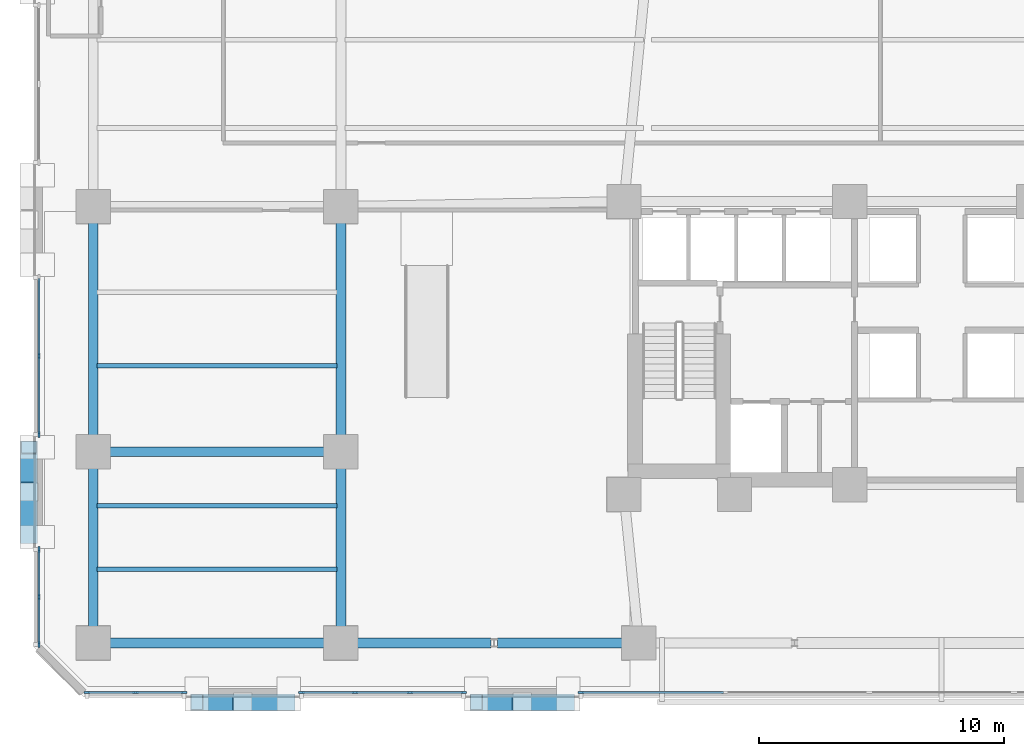
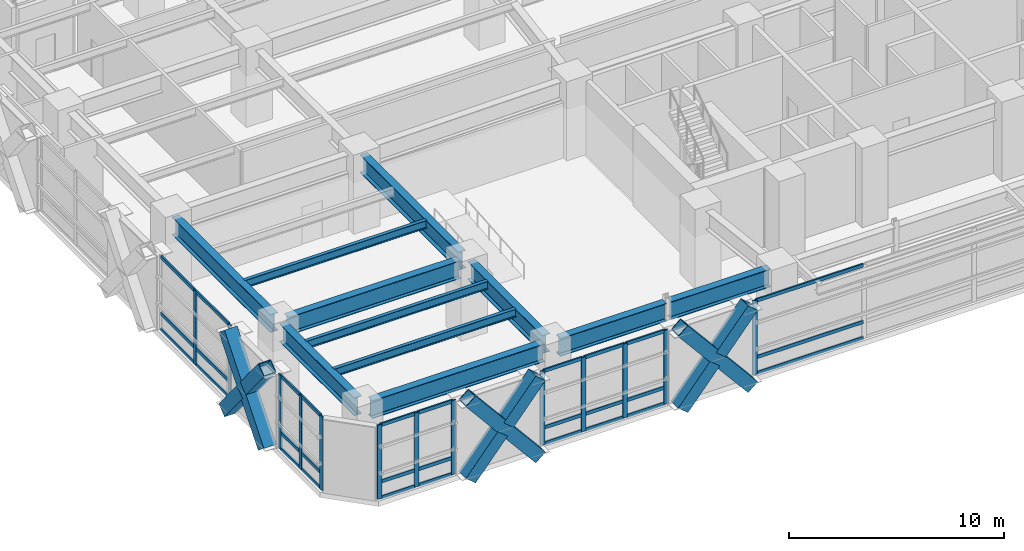
# One storey, part 6 of 30: 52 members, 11 beams, 5 elements without a shape of their own.
"""IFC4 building model written with IfcOpenShell, lengths in metres."""

from ifc_helpers import new_model, si_unit, direction, frame, origin, origin_2d, place, context, subcontext, project, spatial, rectangle, hollow_rectangle, i_section, extrude, material, material_profile, profile_set, type_object, element, aggregate, save


model = new_model("IFC4")

# Units and contexts
model_context = context("Model", 3, precision=1e-05, world=origin(), true_north=direction((0.0, 1.0)))
body_context = subcontext(model_context, "Body", "Model", "MODEL_VIEW")
ifc_project = project(units=[si_unit("LENGTHUNIT", "METRE"), si_unit("AREAUNIT", "SQUARE_METRE"), si_unit("VOLUMEUNIT", "CUBIC_METRE"), si_unit("PLANEANGLEUNIT", "RADIAN"), si_unit("MASSUNIT", "GRAM", prefix="KILO")], contexts=[model_context])

# Site, building, storey
site_placement = place(None, origin())
site = spatial("IfcSite", under=ifc_project, at=site_placement, CompositionType="ELEMENT")
building_placement = place(site_placement, origin())
building = spatial("IfcBuilding", under=site, at=building_placement, Name="Quenlor Broadcast Tower", CompositionType="ELEMENT")
storey_placement = place(building_placement, frame((0.0, 0.0, 9.5)))
storey = spatial("IfcBuildingStorey", under=building, at=storey_placement, Name="L02", CompositionType="ELEMENT", Elevation=9.5)

# Curtain wall, member
ifc_material_1 = material(Name="Architectural Terracotta and Low-E Glazing", Category="masonry")
curtain_wall_type = type_object("IfcCurtainWallType", Name="Station Concourse and Crown Terracotta Curtain Wall", PredefinedType="NOTDEFINED", material=ifc_material_1)
curtain_wall_1_placement = place(storey_placement, origin())
curtain_wall_1 = element("IfcCurtainWall", 1, at=curtain_wall_1_placement, inside=storey, type_object=curtain_wall_type, Name="L02 Curtain Wall CW6 (L02-S-FULL-G3)", PredefinedType="NOTDEFINED")
ifc_material_2 = material(Name="Aluminium 6063-T6", Category="aluminium")
ifc_material_profile_1 = material_profile(ifc_material_2, rectangle(XDim=0.08203125, YDim=0.239990234375, at=origin_2d()))
ifc_profile_set_1 = profile_set([ifc_material_profile_1], Name="Aluminium 6063-T6 MULL82x240")
member_type_1 = type_object("IfcMemberType", Name="CW6 Aluminium Mullion MULL_CW6", PredefinedType="MULLION", material=ifc_profile_set_1)
member_1_placement = place(storey_placement, frame((-14.70947265625, -24.820068359375, 0.0), z_axis=(0.0, 0.0, 1.0), x_axis=(0.0, -1.0, 0.0)))
member_1 = element("IfcMember", 2, at=member_1_placement, type_object=member_type_1, Name="CW6 mullion 6", PredefinedType="MULLION", context=body_context, shape_type="SweptSolid", body=[
    extrude(rectangle(XDim=0.08203125, YDim=0.239990234375, at=origin_2d()), origin(), (0.0, 0.0, 1.0), 4.199951171875),
])

# Curtain wall, members
curtain_wall_2_placement = place(storey_placement, origin())
curtain_wall_2 = element("IfcCurtainWall", 3, at=curtain_wall_2_placement, inside=storey, type_object=curtain_wall_type, Name="L02 Curtain Wall CW6 (L02-S-FULL-G4)", PredefinedType="NOTDEFINED")
member_2_placement = place(storey_placement, frame((-19.490478515625, -24.820068359375, 0.0), z_axis=(0.0, 0.0, 1.0), x_axis=(0.0, -1.0, 0.0)))
member_2 = element("IfcMember", 4, at=member_2_placement, type_object=member_type_1, Name="CW6 mullion 1", PredefinedType="MULLION", context=body_context, shape_type="SweptSolid", body=[
    extrude(rectangle(XDim=0.08203125, YDim=0.239990234375, at=origin_2d()), origin(), (0.0, 0.0, 1.0), 4.199951171875),
])
member_3_placement = place(storey_placement, frame((-21.68310546875, -24.820068359375, 0.0), z_axis=(0.0, 0.0, 1.0), x_axis=(0.0, -1.0, 0.0)))
member_3 = element("IfcMember", 5, at=member_3_placement, type_object=member_type_1, Name="CW6 mullion 2", PredefinedType="MULLION", context=body_context, shape_type="SweptSolid", body=[
    extrude(rectangle(XDim=0.08203125, YDim=0.239990234375, at=origin_2d()), origin(), (0.0, 0.0, 1.0), 4.199951171875),
])
member_4_placement = place(storey_placement, frame((-23.916748046875, -24.820068359375, 0.0), z_axis=(0.0, 0.0, 1.0), x_axis=(0.0, -1.0, 0.0)))
member_4 = element("IfcMember", 6, at=member_4_placement, type_object=member_type_1, Name="CW6 mullion 3", PredefinedType="MULLION", context=body_context, shape_type="SweptSolid", body=[
    extrude(rectangle(XDim=0.08203125, YDim=0.239990234375, at=origin_2d()), origin(), (0.0, 0.0, 1.0), 4.199951171875),
])
member_5_placement = place(storey_placement, frame((-26.109619140625, -24.820068359375, 0.0), z_axis=(0.0, 0.0, 1.0), x_axis=(0.0, -1.0, 0.0)))
member_5 = element("IfcMember", 7, at=member_5_placement, type_object=member_type_1, Name="CW6 mullion 4", PredefinedType="MULLION", context=body_context, shape_type="SweptSolid", body=[
    extrude(rectangle(XDim=0.08203125, YDim=0.239990234375, at=origin_2d()), origin(), (0.0, 0.0, 1.0), 4.199951171875),
])

curtain_wall_3_placement = place(storey_placement, origin())
curtain_wall_3 = element("IfcCurtainWall", 8, at=curtain_wall_3_placement, inside=storey, type_object=curtain_wall_type, Name="L02 Curtain Wall CW6 (L02-S-FULL-G5)", PredefinedType="NOTDEFINED")
member_6_placement = place(storey_placement, frame((-30.890380859375, -24.820068359375, 0.0), z_axis=(0.0, 0.0, 1.0), x_axis=(0.0, -1.0, 0.0)))
member_6 = element("IfcMember", 9, at=member_6_placement, type_object=member_type_1, Name="CW6 mullion 1", PredefinedType="MULLION", context=body_context, shape_type="SweptSolid", body=[
    extrude(rectangle(XDim=0.08203125, YDim=0.239990234375, at=origin_2d()), origin(), (0.0, 0.0, 1.0), 4.199951171875),
])
member_7_placement = place(storey_placement, frame((-32.874755859375, -24.820068359375, 0.0), z_axis=(0.0, 0.0, 1.0), x_axis=(0.0, -1.0, 0.0)))
member_7 = element("IfcMember", 10, at=member_7_placement, type_object=member_type_1, Name="CW6 mullion 2", PredefinedType="MULLION", context=body_context, shape_type="SweptSolid", body=[
    extrude(rectangle(XDim=0.08203125, YDim=0.239990234375, at=origin_2d()), origin(), (0.0, 0.0, 1.0), 4.199951171875),
])
member_8_placement = place(storey_placement, frame((-34.85888671875, -24.820068359375, 0.0), z_axis=(0.0, 0.0, 1.0), x_axis=(0.0, -1.0, 0.0)))
member_8 = element("IfcMember", 11, at=member_8_placement, type_object=member_type_1, Name="CW6 mullion 3", PredefinedType="MULLION", context=body_context, shape_type="SweptSolid", body=[
    extrude(rectangle(XDim=0.08203125, YDim=0.239990234375, at=origin_2d()), origin(), (0.0, 0.0, 1.0), 4.199951171875),
])

curtain_wall_4_placement = place(storey_placement, origin())
curtain_wall_4 = element("IfcCurtainWall", 12, at=curtain_wall_4_placement, inside=storey, type_object=curtain_wall_type, Name="L02 Curtain Wall CW6 (L02-W-FULL-G1)", PredefinedType="NOTDEFINED")
member_9_placement = place(storey_placement, frame((-36.820068359375, -22.85888671875, 0.0), z_axis=(0.0, 0.0, 1.0), x_axis=(-1.0, 0.0, 0.0)))
member_9 = element("IfcMember", 13, at=member_9_placement, type_object=member_type_1, Name="CW6 mullion 1", PredefinedType="MULLION", context=body_context, shape_type="SweptSolid", body=[
    extrude(rectangle(XDim=0.08203125, YDim=0.239990234375, at=origin_2d()), origin(), (0.0, 0.0, 1.0), 4.199951171875),
])
member_10_placement = place(storey_placement, frame((-36.820068359375, -20.92626953125, 0.0), z_axis=(0.0, 0.0, 1.0), x_axis=(-1.0, 0.0, 0.0)))
member_10 = element("IfcMember", 14, at=member_10_placement, type_object=member_type_1, Name="CW6 mullion 2", PredefinedType="MULLION", context=body_context, shape_type="SweptSolid", body=[
    extrude(rectangle(XDim=0.08203125, YDim=0.239990234375, at=origin_2d()), origin(), (0.0, 0.0, 1.0), 4.199951171875),
])
member_11_placement = place(storey_placement, frame((-36.820068359375, -18.99365234375, 0.0), z_axis=(0.0, 0.0, 1.0), x_axis=(-1.0, 0.0, 0.0)))
member_11 = element("IfcMember", 15, at=member_11_placement, type_object=member_type_1, Name="CW6 mullion 3", PredefinedType="MULLION", context=body_context, shape_type="SweptSolid", body=[
    extrude(rectangle(XDim=0.08203125, YDim=0.239990234375, at=origin_2d()), origin(), (0.0, 0.0, 1.0), 4.199951171875),
])

curtain_wall_5_placement = place(storey_placement, origin())
curtain_wall_5 = element("IfcCurtainWall", 16, at=curtain_wall_5_placement, inside=storey, type_object=curtain_wall_type, Name="L02 Curtain Wall CW6 (L02-W-FULL-G2)", PredefinedType="NOTDEFINED")
member_12_placement = place(storey_placement, frame((-36.820068359375, -14.306396484375, 0.0), z_axis=(0.0, 0.0, 1.0), x_axis=(-1.0, 0.0, 0.0)))
member_12 = element("IfcMember", 17, at=member_12_placement, type_object=member_type_1, Name="CW6 mullion 1", PredefinedType="MULLION", context=body_context, shape_type="SweptSolid", body=[
    extrude(rectangle(XDim=0.08203125, YDim=0.239990234375, at=origin_2d()), origin(), (0.0, 0.0, 1.0), 4.199951171875),
])
member_13_placement = place(storey_placement, frame((-36.820068359375, -11.10009765625, 0.0), z_axis=(0.0, 0.0, 1.0), x_axis=(-1.0, 0.0, 0.0)))
member_13 = element("IfcMember", 18, at=member_13_placement, type_object=member_type_1, Name="CW6 mullion 2", PredefinedType="MULLION", context=body_context, shape_type="SweptSolid", body=[
    extrude(rectangle(XDim=0.08203125, YDim=0.239990234375, at=origin_2d()), origin(), (0.0, 0.0, 1.0), 4.199951171875),
])

# Member
ifc_material_3 = material(Name="Aluminium 6063-T6", Category="aluminium")
ifc_material_profile_2 = material_profile(ifc_material_3, rectangle(XDim=0.08203125, YDim=0.195068359375, at=origin_2d()))
ifc_profile_set_2 = profile_set([ifc_material_profile_2], Name="Aluminium 6063-T6 TRAN82x195")
member_type_2 = type_object("IfcMemberType", Name="CW6 Aluminium Transom TRAN_CW6", PredefinedType="USERDEFINED", material=ifc_profile_set_2)
member_14_placement = place(storey_placement, frame((-8.891357421875, -24.820068359375, 0.041015625), z_axis=(-1.0, 0.0, 0.0), x_axis=(0.0, -1.0, 0.0)))
member_14 = element("IfcMember", 19, at=member_14_placement, type_object=member_type_2, Name="CW6 transom 5.1", ObjectType="TRANSOM", PredefinedType="USERDEFINED", context=body_context, shape_type="SweptSolid", body=[
    extrude(rectangle(XDim=0.08203125, YDim=0.195068359375, at=origin_2d()), origin(), (0.0, 0.0, 1.0), 5.777099609375),
])

member_15_placement = place(storey_placement, frame((-8.891357421875, -24.820068359375, 0.949951171875), z_axis=(-1.0, 0.0, 0.0), x_axis=(0.0, -1.0, 0.0)))
member_15 = element("IfcMember", 20, at=member_15_placement, type_object=member_type_2, Name="CW6 transom 5.2", ObjectType="TRANSOM", PredefinedType="USERDEFINED", context=body_context, shape_type="SweptSolid", body=[
    extrude(rectangle(XDim=0.08203125, YDim=0.195068359375, at=origin_2d()), origin(), (0.0, 0.0, 1.0), 5.777099609375),
])

member_16_placement = place(storey_placement, frame((-8.891357421875, -24.820068359375, 4.158935546875), z_axis=(-1.0, 0.0, 0.0), x_axis=(0.0, -1.0, 0.0)))
member_16 = element("IfcMember", 21, at=member_16_placement, type_object=member_type_2, Name="CW6 transom 5.3", ObjectType="TRANSOM", PredefinedType="USERDEFINED", context=body_context, shape_type="SweptSolid", body=[
    extrude(rectangle(XDim=0.08203125, YDim=0.195068359375, at=origin_2d()), origin(), (0.0, 0.0, 1.0), 5.777099609375),
])

aggregate(curtain_wall_1, [member_1, member_14, member_15, member_16])

member_17_placement = place(storey_placement, frame((-19.531494140625, -24.820068359375, 0.041015625), z_axis=(-1.0, 0.0, 0.0), x_axis=(0.0, -1.0, 0.0)))
member_17 = element("IfcMember", 22, at=member_17_placement, type_object=member_type_2, Name="CW6 transom 1.1", ObjectType="TRANSOM", PredefinedType="USERDEFINED", context=body_context, shape_type="SweptSolid", body=[
    extrude(rectangle(XDim=0.08203125, YDim=0.195068359375, at=origin_2d()), origin(), (0.0, 0.0, 1.0), 2.110595703125),
])

member_18_placement = place(storey_placement, frame((-19.531494140625, -24.820068359375, 0.949951171875), z_axis=(-1.0, 0.0, 0.0), x_axis=(0.0, -1.0, 0.0)))
member_18 = element("IfcMember", 23, at=member_18_placement, type_object=member_type_2, Name="CW6 transom 1.2", ObjectType="TRANSOM", PredefinedType="USERDEFINED", context=body_context, shape_type="SweptSolid", body=[
    extrude(rectangle(XDim=0.08203125, YDim=0.195068359375, at=origin_2d()), origin(), (0.0, 0.0, 1.0), 2.110595703125),
])

member_19_placement = place(storey_placement, frame((-19.531494140625, -24.820068359375, 4.158935546875), z_axis=(-1.0, 0.0, 0.0), x_axis=(0.0, -1.0, 0.0)))
member_19 = element("IfcMember", 24, at=member_19_placement, type_object=member_type_2, Name="CW6 transom 1.3", ObjectType="TRANSOM", PredefinedType="USERDEFINED", context=body_context, shape_type="SweptSolid", body=[
    extrude(rectangle(XDim=0.08203125, YDim=0.195068359375, at=origin_2d()), origin(), (0.0, 0.0, 1.0), 2.110595703125),
])

member_20_placement = place(storey_placement, frame((-21.72412109375, -24.820068359375, 0.041015625), z_axis=(-1.0, 0.0, 0.0), x_axis=(0.0, -1.0, 0.0)))
member_20 = element("IfcMember", 25, at=member_20_placement, type_object=member_type_2, Name="CW6 transom 2.1", ObjectType="TRANSOM", PredefinedType="USERDEFINED", context=body_context, shape_type="SweptSolid", body=[
    extrude(rectangle(XDim=0.08203125, YDim=0.195068359375, at=origin_2d()), origin(), (0.0, 0.0, 1.0), 2.151611328125),
])

member_21_placement = place(storey_placement, frame((-21.72412109375, -24.820068359375, 0.949951171875), z_axis=(-1.0, 0.0, 0.0), x_axis=(0.0, -1.0, 0.0)))
member_21 = element("IfcMember", 26, at=member_21_placement, type_object=member_type_2, Name="CW6 transom 2.2", ObjectType="TRANSOM", PredefinedType="USERDEFINED", context=body_context, shape_type="SweptSolid", body=[
    extrude(rectangle(XDim=0.08203125, YDim=0.195068359375, at=origin_2d()), origin(), (0.0, 0.0, 1.0), 2.151611328125),
])

member_22_placement = place(storey_placement, frame((-21.72412109375, -24.820068359375, 4.158935546875), z_axis=(-1.0, 0.0, 0.0), x_axis=(0.0, -1.0, 0.0)))
member_22 = element("IfcMember", 27, at=member_22_placement, type_object=member_type_2, Name="CW6 transom 2.3", ObjectType="TRANSOM", PredefinedType="USERDEFINED", context=body_context, shape_type="SweptSolid", body=[
    extrude(rectangle(XDim=0.08203125, YDim=0.195068359375, at=origin_2d()), origin(), (0.0, 0.0, 1.0), 2.151611328125),
])

member_23_placement = place(storey_placement, frame((-23.957763671875, -24.820068359375, 0.041015625), z_axis=(-1.0, 0.0, 0.0), x_axis=(0.0, -1.0, 0.0)))
member_23 = element("IfcMember", 28, at=member_23_placement, type_object=member_type_2, Name="CW6 transom 3.1", ObjectType="TRANSOM", PredefinedType="USERDEFINED", context=body_context, shape_type="SweptSolid", body=[
    extrude(rectangle(XDim=0.08203125, YDim=0.195068359375, at=origin_2d()), origin(), (0.0, 0.0, 1.0), 2.11083984375),
])

member_24_placement = place(storey_placement, frame((-23.957763671875, -24.820068359375, 0.949951171875), z_axis=(-1.0, 0.0, 0.0), x_axis=(0.0, -1.0, 0.0)))
member_24 = element("IfcMember", 29, at=member_24_placement, type_object=member_type_2, Name="CW6 transom 3.2", ObjectType="TRANSOM", PredefinedType="USERDEFINED", context=body_context, shape_type="SweptSolid", body=[
    extrude(rectangle(XDim=0.08203125, YDim=0.195068359375, at=origin_2d()), origin(), (0.0, 0.0, 1.0), 2.11083984375),
])

member_25_placement = place(storey_placement, frame((-23.957763671875, -24.820068359375, 4.158935546875), z_axis=(-1.0, 0.0, 0.0), x_axis=(0.0, -1.0, 0.0)))
member_25 = element("IfcMember", 30, at=member_25_placement, type_object=member_type_2, Name="CW6 transom 3.3", ObjectType="TRANSOM", PredefinedType="USERDEFINED", context=body_context, shape_type="SweptSolid", body=[
    extrude(rectangle(XDim=0.08203125, YDim=0.195068359375, at=origin_2d()), origin(), (0.0, 0.0, 1.0), 2.11083984375),
])

aggregate(curtain_wall_2, [member_2, member_3, member_4, member_5, member_17, member_18, member_19, member_20, member_21, member_22, member_23, member_24, member_25])

member_26_placement = place(storey_placement, frame((-30.931396484375, -24.820068359375, 0.041015625), z_axis=(-1.0, 0.0, 0.0), x_axis=(0.0, -1.0, 0.0)))
member_26 = element("IfcMember", 31, at=member_26_placement, type_object=member_type_2, Name="CW6 transom 1.1", ObjectType="TRANSOM", PredefinedType="USERDEFINED", context=body_context, shape_type="SweptSolid", body=[
    extrude(rectangle(XDim=0.08203125, YDim=0.195068359375, at=origin_2d()), origin(), (0.0, 0.0, 1.0), 1.90234375),
])

member_27_placement = place(storey_placement, frame((-30.931396484375, -24.820068359375, 0.949951171875), z_axis=(-1.0, 0.0, 0.0), x_axis=(0.0, -1.0, 0.0)))
member_27 = element("IfcMember", 32, at=member_27_placement, type_object=member_type_2, Name="CW6 transom 1.2", ObjectType="TRANSOM", PredefinedType="USERDEFINED", context=body_context, shape_type="SweptSolid", body=[
    extrude(rectangle(XDim=0.08203125, YDim=0.195068359375, at=origin_2d()), origin(), (0.0, 0.0, 1.0), 1.90234375),
])

member_28_placement = place(storey_placement, frame((-30.931396484375, -24.820068359375, 4.158935546875), z_axis=(-1.0, 0.0, 0.0), x_axis=(0.0, -1.0, 0.0)))
member_28 = element("IfcMember", 33, at=member_28_placement, type_object=member_type_2, Name="CW6 transom 1.3", ObjectType="TRANSOM", PredefinedType="USERDEFINED", context=body_context, shape_type="SweptSolid", body=[
    extrude(rectangle(XDim=0.08203125, YDim=0.195068359375, at=origin_2d()), origin(), (0.0, 0.0, 1.0), 1.90234375),
])

member_29_placement = place(storey_placement, frame((-32.915771484375, -24.820068359375, 0.041015625), z_axis=(-1.0, 0.0, 0.0), x_axis=(0.0, -1.0, 0.0)))
member_29 = element("IfcMember", 34, at=member_29_placement, type_object=member_type_2, Name="CW6 transom 2.1", ObjectType="TRANSOM", PredefinedType="USERDEFINED", context=body_context, shape_type="SweptSolid", body=[
    extrude(rectangle(XDim=0.08203125, YDim=0.195068359375, at=origin_2d()), origin(), (0.0, 0.0, 1.0), 1.90234375),
])

member_30_placement = place(storey_placement, frame((-32.915771484375, -24.820068359375, 0.949951171875), z_axis=(-1.0, 0.0, 0.0), x_axis=(0.0, -1.0, 0.0)))
member_30 = element("IfcMember", 35, at=member_30_placement, type_object=member_type_2, Name="CW6 transom 2.2", ObjectType="TRANSOM", PredefinedType="USERDEFINED", context=body_context, shape_type="SweptSolid", body=[
    extrude(rectangle(XDim=0.08203125, YDim=0.195068359375, at=origin_2d()), origin(), (0.0, 0.0, 1.0), 1.90234375),
])

member_31_placement = place(storey_placement, frame((-32.915771484375, -24.820068359375, 4.158935546875), z_axis=(-1.0, 0.0, 0.0), x_axis=(0.0, -1.0, 0.0)))
member_31 = element("IfcMember", 36, at=member_31_placement, type_object=member_type_2, Name="CW6 transom 2.3", ObjectType="TRANSOM", PredefinedType="USERDEFINED", context=body_context, shape_type="SweptSolid", body=[
    extrude(rectangle(XDim=0.08203125, YDim=0.195068359375, at=origin_2d()), origin(), (0.0, 0.0, 1.0), 1.90234375),
])

aggregate(curtain_wall_3, [member_6, member_7, member_8, member_26, member_27, member_28, member_29, member_30, member_31])

member_32_placement = place(storey_placement, frame((-36.820068359375, -22.818115234375, 0.041015625), z_axis=(0.0, 1.0, 0.0), x_axis=(-1.0, 0.0, 0.0)))
member_32 = element("IfcMember", 37, at=member_32_placement, type_object=member_type_2, Name="CW6 transom 1.1", ObjectType="TRANSOM", PredefinedType="USERDEFINED", context=body_context, shape_type="SweptSolid", body=[
    extrude(rectangle(XDim=0.08203125, YDim=0.195068359375, at=origin_2d()), origin(), (0.0, 0.0, 1.0), 1.850830078125),
])

member_33_placement = place(storey_placement, frame((-36.820068359375, -22.818115234375, 0.949951171875), z_axis=(0.0, 1.0, 0.0), x_axis=(-1.0, 0.0, 0.0)))
member_33 = element("IfcMember", 38, at=member_33_placement, type_object=member_type_2, Name="CW6 transom 1.2", ObjectType="TRANSOM", PredefinedType="USERDEFINED", context=body_context, shape_type="SweptSolid", body=[
    extrude(rectangle(XDim=0.08203125, YDim=0.195068359375, at=origin_2d()), origin(), (0.0, 0.0, 1.0), 1.850830078125),
])

member_34_placement = place(storey_placement, frame((-36.820068359375, -22.818115234375, 4.158935546875), z_axis=(0.0, 1.0, 0.0), x_axis=(-1.0, 0.0, 0.0)))
member_34 = element("IfcMember", 39, at=member_34_placement, type_object=member_type_2, Name="CW6 transom 1.3", ObjectType="TRANSOM", PredefinedType="USERDEFINED", context=body_context, shape_type="SweptSolid", body=[
    extrude(rectangle(XDim=0.08203125, YDim=0.195068359375, at=origin_2d()), origin(), (0.0, 0.0, 1.0), 1.850830078125),
])

member_35_placement = place(storey_placement, frame((-36.820068359375, -20.88525390625, 0.041015625), z_axis=(0.0, 1.0, 0.0), x_axis=(-1.0, 0.0, 0.0)))
member_35 = element("IfcMember", 40, at=member_35_placement, type_object=member_type_2, Name="CW6 transom 2.1", ObjectType="TRANSOM", PredefinedType="USERDEFINED", context=body_context, shape_type="SweptSolid", body=[
    extrude(rectangle(XDim=0.08203125, YDim=0.195068359375, at=origin_2d()), origin(), (0.0, 0.0, 1.0), 1.8505859375),
])

member_36_placement = place(storey_placement, frame((-36.820068359375, -20.88525390625, 0.949951171875), z_axis=(0.0, 1.0, 0.0), x_axis=(-1.0, 0.0, 0.0)))
member_36 = element("IfcMember", 41, at=member_36_placement, type_object=member_type_2, Name="CW6 transom 2.2", ObjectType="TRANSOM", PredefinedType="USERDEFINED", context=body_context, shape_type="SweptSolid", body=[
    extrude(rectangle(XDim=0.08203125, YDim=0.195068359375, at=origin_2d()), origin(), (0.0, 0.0, 1.0), 1.8505859375),
])

member_37_placement = place(storey_placement, frame((-36.820068359375, -20.88525390625, 4.158935546875), z_axis=(0.0, 1.0, 0.0), x_axis=(-1.0, 0.0, 0.0)))
member_37 = element("IfcMember", 42, at=member_37_placement, type_object=member_type_2, Name="CW6 transom 2.3", ObjectType="TRANSOM", PredefinedType="USERDEFINED", context=body_context, shape_type="SweptSolid", body=[
    extrude(rectangle(XDim=0.08203125, YDim=0.195068359375, at=origin_2d()), origin(), (0.0, 0.0, 1.0), 1.8505859375),
])

aggregate(curtain_wall_4, [member_9, member_10, member_11, member_32, member_33, member_34, member_35, member_36, member_37])

member_38_placement = place(storey_placement, frame((-36.820068359375, -14.265380859375, 0.041015625), z_axis=(0.0, 1.0, 0.0), x_axis=(-1.0, 0.0, 0.0)))
member_38 = element("IfcMember", 43, at=member_38_placement, type_object=member_type_2, Name="CW6 transom 1.1", ObjectType="TRANSOM", PredefinedType="USERDEFINED", context=body_context, shape_type="SweptSolid", body=[
    extrude(rectangle(XDim=0.08203125, YDim=0.195068359375, at=origin_2d()), origin(), (0.0, 0.0, 1.0), 3.124267578125),
])

member_39_placement = place(storey_placement, frame((-36.820068359375, -14.265380859375, 0.949951171875), z_axis=(0.0, 1.0, 0.0), x_axis=(-1.0, 0.0, 0.0)))
member_39 = element("IfcMember", 44, at=member_39_placement, type_object=member_type_2, Name="CW6 transom 1.2", ObjectType="TRANSOM", PredefinedType="USERDEFINED", context=body_context, shape_type="SweptSolid", body=[
    extrude(rectangle(XDim=0.08203125, YDim=0.195068359375, at=origin_2d()), origin(), (0.0, 0.0, 1.0), 3.124267578125),
])

member_40_placement = place(storey_placement, frame((-36.820068359375, -14.265380859375, 4.158935546875), z_axis=(0.0, 1.0, 0.0), x_axis=(-1.0, 0.0, 0.0)))
member_40 = element("IfcMember", 45, at=member_40_placement, type_object=member_type_2, Name="CW6 transom 1.3", ObjectType="TRANSOM", PredefinedType="USERDEFINED", context=body_context, shape_type="SweptSolid", body=[
    extrude(rectangle(XDim=0.08203125, YDim=0.195068359375, at=origin_2d()), origin(), (0.0, 0.0, 1.0), 3.124267578125),
])

member_41_placement = place(storey_placement, frame((-36.820068359375, -11.05908203125, 0.041015625), z_axis=(0.0, 1.0, 0.0), x_axis=(-1.0, 0.0, 0.0)))
member_41 = element("IfcMember", 46, at=member_41_placement, type_object=member_type_2, Name="CW6 transom 2.1", ObjectType="TRANSOM", PredefinedType="USERDEFINED", context=body_context, shape_type="SweptSolid", body=[
    extrude(rectangle(XDim=0.08203125, YDim=0.195068359375, at=origin_2d()), origin(), (0.0, 0.0, 1.0), 3.124267578125),
])

member_42_placement = place(storey_placement, frame((-36.820068359375, -11.05908203125, 0.949951171875), z_axis=(0.0, 1.0, 0.0), x_axis=(-1.0, 0.0, 0.0)))
member_42 = element("IfcMember", 47, at=member_42_placement, type_object=member_type_2, Name="CW6 transom 2.2", ObjectType="TRANSOM", PredefinedType="USERDEFINED", context=body_context, shape_type="SweptSolid", body=[
    extrude(rectangle(XDim=0.08203125, YDim=0.195068359375, at=origin_2d()), origin(), (0.0, 0.0, 1.0), 3.124267578125),
])

member_43_placement = place(storey_placement, frame((-36.820068359375, -11.05908203125, 4.158935546875), z_axis=(0.0, 1.0, 0.0), x_axis=(-1.0, 0.0, 0.0)))
member_43 = element("IfcMember", 48, at=member_43_placement, type_object=member_type_2, Name="CW6 transom 2.3", ObjectType="TRANSOM", PredefinedType="USERDEFINED", context=body_context, shape_type="SweptSolid", body=[
    extrude(rectangle(XDim=0.08203125, YDim=0.195068359375, at=origin_2d()), origin(), (0.0, 0.0, 1.0), 3.124267578125),
])

aggregate(curtain_wall_5, [member_12, member_13, member_38, member_39, member_40, member_41, member_42, member_43])

# Members
ifc_material_4 = material(Name="Steel S355", Category="steel")
ifc_material_profile_3 = material_profile(ifc_material_4, hollow_rectangle(XDim=0.679931640625, YDim=0.679931640625, WallThickness=0.034912109375, at=origin_2d()))
ifc_profile_set_3 = profile_set([ifc_material_profile_3], Name="Steel S355 RHS680x680x35")
member_type_3 = type_object("IfcMemberType", Name="Perimeter Diagonal Lattice Brace Z1 Steel S355 RHS680x35", PredefinedType="BRACE", material=ifc_profile_set_3)
member_44_placement = place(storey_placement, frame((-15.222900390625, -25.215087890625, -0.1201171875), z_axis=(-0.640626831312, 0.0, 0.767852370578), x_axis=(0.0, -1.0, 0.0)))
element("IfcMember", 49, at=member_44_placement, inside=storey, type_object=member_type_3, Name="L02 Podium Diamond Lattice S-P5XA", PredefinedType="BRACE", context=body_context, shape_type="SweptSolid", body=[
    extrude(hollow_rectangle(XDim=0.679931640625, YDim=0.679931640625, WallThickness=0.034912109375, at=origin_2d()), origin(), (0.0, 0.0, 1.0), 5.860595703125),
])
member_45_placement = place(storey_placement, frame((-18.977294921875, -25.215087890625, -0.1201171875), z_axis=(0.640614349103, 0.0, 0.767862784437), x_axis=(0.0, 1.0, 0.0)))
element("IfcMember", 50, at=member_45_placement, inside=storey, type_object=member_type_3, Name="L02 Podium Diamond Lattice S-P5XB1", PredefinedType="BRACE", context=body_context, shape_type="SweptSolid", body=[
    extrude(hollow_rectangle(XDim=0.679931640625, YDim=0.679931640625, WallThickness=0.034912109375, at=origin_2d()), origin(), (0.0, 0.0, 1.0), 2.680419921875),
])
member_46_placement = place(storey_placement, frame((-16.939697265625, -25.215087890625, 2.322021484375), z_axis=(0.640605447875, 0.0, 0.767870210486), x_axis=(0.0, 1.0, 0.0)))
element("IfcMember", 51, at=member_46_placement, inside=storey, type_object=member_type_3, Name="L02 Podium Diamond Lattice S-P5XB2", PredefinedType="BRACE", context=body_context, shape_type="SweptSolid", body=[
    extrude(hollow_rectangle(XDim=0.679931640625, YDim=0.679931640625, WallThickness=0.034912109375, at=origin_2d()), origin(), (0.0, 0.0, 1.0), 2.679931640625),
])
member_47_placement = place(storey_placement, frame((-26.622802734375, -25.215087890625, -0.1201171875), z_axis=(-0.640626831312, 0.0, 0.767852370578), x_axis=(0.0, -1.0, 0.0)))
element("IfcMember", 52, at=member_47_placement, inside=storey, type_object=member_type_3, Name="L02 Podium Diamond Lattice S-P6XA", PredefinedType="BRACE", context=body_context, shape_type="SweptSolid", body=[
    extrude(hollow_rectangle(XDim=0.679931640625, YDim=0.679931640625, WallThickness=0.034912109375, at=origin_2d()), origin(), (0.0, 0.0, 1.0), 5.860595703125),
])
member_48_placement = place(storey_placement, frame((-30.377197265625, -25.215087890625, -0.1201171875), z_axis=(0.640614349103, 0.0, 0.767862784437), x_axis=(0.0, 1.0, 0.0)))
element("IfcMember", 53, at=member_48_placement, inside=storey, type_object=member_type_3, Name="L02 Podium Diamond Lattice S-P6XB1", PredefinedType="BRACE", context=body_context, shape_type="SweptSolid", body=[
    extrude(hollow_rectangle(XDim=0.679931640625, YDim=0.679931640625, WallThickness=0.034912109375, at=origin_2d()), origin(), (0.0, 0.0, 1.0), 2.680419921875),
])
member_49_placement = place(storey_placement, frame((-28.33984375, -25.215087890625, 2.322021484375), z_axis=(0.640659157162, 0.0, 0.767825399648), x_axis=(0.0, 1.0, 0.0)))
element("IfcMember", 54, at=member_49_placement, inside=storey, type_object=member_type_3, Name="L02 Podium Diamond Lattice S-P6XB2", PredefinedType="BRACE", context=body_context, shape_type="SweptSolid", body=[
    extrude(hollow_rectangle(XDim=0.679931640625, YDim=0.679931640625, WallThickness=0.034912109375, at=origin_2d()), origin(), (0.0, 0.0, 1.0), 2.68017578125),
])
member_50_placement = place(storey_placement, frame((-37.215087890625, -18.477783203125, -0.1201171875), z_axis=(0.0, 0.630516526394, 0.776175824117), x_axis=(-1.0, 0.0, 0.0)))
element("IfcMember", 55, at=member_50_placement, inside=storey, type_object=member_type_3, Name="L02 Podium Diamond Lattice W-P1XA", PredefinedType="BRACE", context=body_context, shape_type="SweptSolid", body=[
    extrude(hollow_rectangle(XDim=0.679931640625, YDim=0.679931640625, WallThickness=0.034912109375, at=origin_2d()), origin(), (0.0, 0.0, 1.0), 5.797607421875),
])
for number, where, z_axis, x_axis, name in (
    (56, (-37.215087890625, -14.822265625, -0.1201171875), (0.0, -0.630488529208, 0.776198566436), (1.0, 0.0, 0.0), "L02 Podium Diamond Lattice W-P1XB1"),
    (57, (-37.215087890625, -16.8076171875, 2.323974609375), (0.0, -0.630533634598, 0.776161926173), (1.0, 0.0, 0.0), "L02 Podium Diamond Lattice W-P1XB2"),
):
    element("IfcMember", number, at=place(storey_placement, frame(where, z_axis=z_axis, x_axis=x_axis)), inside=storey, type_object=member_type_3, Name=name, PredefinedType="BRACE", context=body_context, shape_type="SweptSolid", body=[
        extrude(hollow_rectangle(XDim=0.679931640625, YDim=0.679931640625, WallThickness=0.034912109375, at=origin_2d()), origin(), (0.0, 0.0, 1.0), 2.64892578125),
    ])

# Beams
ifc_material_5 = material(Name="Steel S355", Category="steel")
ifc_material_profile_4 = material_profile(ifc_material_5, i_section(OverallWidth=0.39990234375, OverallDepth=1.02392578125, WebThickness=0.01611328125, FlangeThickness=0.031982421875, FilletRadius=0.01611328125, at=origin_2d()))
ifc_profile_set_4 = profile_set([ifc_material_profile_4], Name="Steel S355 1000WB322")
beam_type_1 = type_object("IfcBeamType", Name="Podium Concourse Girder Steel S355 1000WB322", PredefinedType="BEAM", material=ifc_profile_set_4)
beam_1_placement = place(storey_placement, frame((-34.179931640625, -22.800048828125, 3.68798828125), z_axis=(1.0, 0.0, 0.0), x_axis=(0.0, 1.0, 0.0)))
element("IfcBeam", 58, at=beam_1_placement, inside=storey, type_object=beam_type_1, Name="L02 Podium Girder 1", PredefinedType="BEAM", context=body_context, shape_type="SweptSolid", body=[
    extrude(i_section(OverallWidth=0.39990234375, OverallDepth=1.02392578125, WebThickness=0.01611328125, FlangeThickness=0.031982421875, FilletRadius=0.01611328125, at=origin_2d()), origin(), (0.0, 0.0, 1.0), 9.260009765625),
])
beam_2_placement = place(storey_placement, frame((-24.080078125, -22.800048828125, 3.68798828125), z_axis=(1.0, 0.0, 0.0), x_axis=(0.0, 1.0, 0.0)))
element("IfcBeam", 59, at=beam_2_placement, inside=storey, type_object=beam_type_1, Name="L02 Podium Girder 2", PredefinedType="BEAM", context=body_context, shape_type="SweptSolid", body=[
    extrude(i_section(OverallWidth=0.39990234375, OverallDepth=1.02392578125, WebThickness=0.01611328125, FlangeThickness=0.031982421875, FilletRadius=0.01611328125, at=origin_2d()), origin(), (0.0, 0.0, 1.0), 5.694580078125),
])
beam_3_placement = place(storey_placement, frame((-18.114501953125, -22.800048828125, 3.68798828125), z_axis=(1.0, 0.0, 0.0), x_axis=(0.0, 1.0, 0.0)))
element("IfcBeam", 60, at=beam_3_placement, inside=storey, type_object=beam_type_1, Name="L02 Podium Girder 3", PredefinedType="BEAM", context=body_context, shape_type="SweptSolid", body=[
    extrude(i_section(OverallWidth=0.39990234375, OverallDepth=1.02392578125, WebThickness=0.01611328125, FlangeThickness=0.031982421875, FilletRadius=0.01611328125, at=origin_2d()), origin(), (0.0, 0.0, 1.0), 5.344482421875),
])
beam_4_placement = place(storey_placement, frame((-34.179931640625, -15.0, 3.68798828125), z_axis=(1.0, 0.0, 0.0), x_axis=(0.0, 1.0, 0.0)))
element("IfcBeam", 61, at=beam_4_placement, inside=storey, type_object=beam_type_1, Name="L02 Podium Girder 10", PredefinedType="BEAM", context=body_context, shape_type="SweptSolid", body=[
    extrude(i_section(OverallWidth=0.39990234375, OverallDepth=1.02392578125, WebThickness=0.01611328125, FlangeThickness=0.031982421875, FilletRadius=0.01611328125, at=origin_2d()), origin(), (0.0, 0.0, 1.0), 9.260009765625),
])
beam_5_placement = place(storey_placement, frame((-34.60009765625, -22.3798828125, 3.68798828125), z_axis=(0.0, 1.0, 0.0), x_axis=(-1.0, 0.0, 0.0)))
element("IfcBeam", 62, at=beam_5_placement, inside=storey, type_object=beam_type_1, Name="L02 Podium Girder 34", PredefinedType="BEAM", context=body_context, shape_type="SweptSolid", body=[
    extrude(i_section(OverallWidth=0.39990234375, OverallDepth=1.02392578125, WebThickness=0.01611328125, FlangeThickness=0.031982421875, FilletRadius=0.01611328125, at=origin_2d()), origin(), (0.0, 0.0, 1.0), 6.9599609375),
])
beam_6_placement = place(storey_placement, frame((-34.60009765625, -14.580078125, 3.68798828125), z_axis=(0.0, 1.0, 0.0), x_axis=(-1.0, 0.0, 0.0)))
element("IfcBeam", 63, at=beam_6_placement, inside=storey, type_object=beam_type_1, Name="L02 Podium Girder 35", PredefinedType="BEAM", context=body_context, shape_type="SweptSolid", body=[
    extrude(i_section(OverallWidth=0.39990234375, OverallDepth=1.02392578125, WebThickness=0.01611328125, FlangeThickness=0.031982421875, FilletRadius=0.01611328125, at=origin_2d()), origin(), (0.0, 0.0, 1.0), 9.16015625),
])
beam_7_placement = place(storey_placement, frame((-24.5, -22.3798828125, 3.68798828125), z_axis=(0.0, 1.0, 0.0), x_axis=(-1.0, 0.0, 0.0)))
element("IfcBeam", 64, at=beam_7_placement, inside=storey, type_object=beam_type_1, Name="L02 Podium Girder 39", PredefinedType="BEAM", context=body_context, shape_type="SweptSolid", body=[
    extrude(i_section(OverallWidth=0.39990234375, OverallDepth=1.02392578125, WebThickness=0.01611328125, FlangeThickness=0.031982421875, FilletRadius=0.01611328125, at=origin_2d()), origin(), (0.0, 0.0, 1.0), 6.9599609375),
])
beam_8_placement = place(storey_placement, frame((-24.5, -14.580078125, 3.68798828125), z_axis=(0.0, 1.0, 0.0), x_axis=(-1.0, 0.0, 0.0)))
element("IfcBeam", 65, at=beam_8_placement, inside=storey, type_object=beam_type_1, Name="L02 Podium Girder 40", PredefinedType="BEAM", context=body_context, shape_type="SweptSolid", body=[
    extrude(i_section(OverallWidth=0.39990234375, OverallDepth=1.02392578125, WebThickness=0.01611328125, FlangeThickness=0.031982421875, FilletRadius=0.01611328125, at=origin_2d()), origin(), (0.0, 0.0, 1.0), 9.16015625),
])
ifc_material_6 = material(Name="Steel S355", Category="steel")
ifc_material_profile_5 = material_profile(ifc_material_6, i_section(OverallWidth=0.18994140625, OverallDepth=0.453857421875, WebThickness=0.008544921875, FlangeThickness=0.0126953125, FilletRadius=0.011474609375, at=origin_2d()))
ifc_profile_set_5 = profile_set([ifc_material_profile_5], Name="Steel S355 460UB67.1")
beam_type_2 = type_object("IfcBeamType", Name="Podium Floor Joist Steel S355 460UB67.1", PredefinedType="JOIST", material=ifc_profile_set_5)
for number, where, z_axis, x_axis, name in (
    (66, (-34.43994140625, -19.800048828125, 3.97314453125), (1.0, 0.0, 0.0), (0.0, 1.0, 0.0), "L02 Podium Floor Joist 21"),
    (67, (-34.43994140625, -17.199951171875, 3.97314453125), (1.0, 0.0, 0.0), (0.0, 1.0, 0.0), "L02 Podium Floor Joist 23"),
    (68, (-34.43994140625, -11.5, 3.97314453125), (1.0, 0.0, 0.0), (0.0, 1.0, 0.0), "L02 Podium Floor Joist 25"),
):
    element("IfcBeam", number, at=place(storey_placement, frame(where, z_axis=z_axis, x_axis=x_axis)), inside=storey, type_object=beam_type_2, Name=name, PredefinedType="JOIST", context=body_context, shape_type="SweptSolid", body=[
        extrude(i_section(OverallWidth=0.18994140625, OverallDepth=0.453857421875, WebThickness=0.008544921875, FlangeThickness=0.0126953125, FilletRadius=0.011474609375, at=origin_2d()), origin(), (0.0, 0.0, 1.0), 9.780029296875),
    ])

save(model, "model.ifc")
